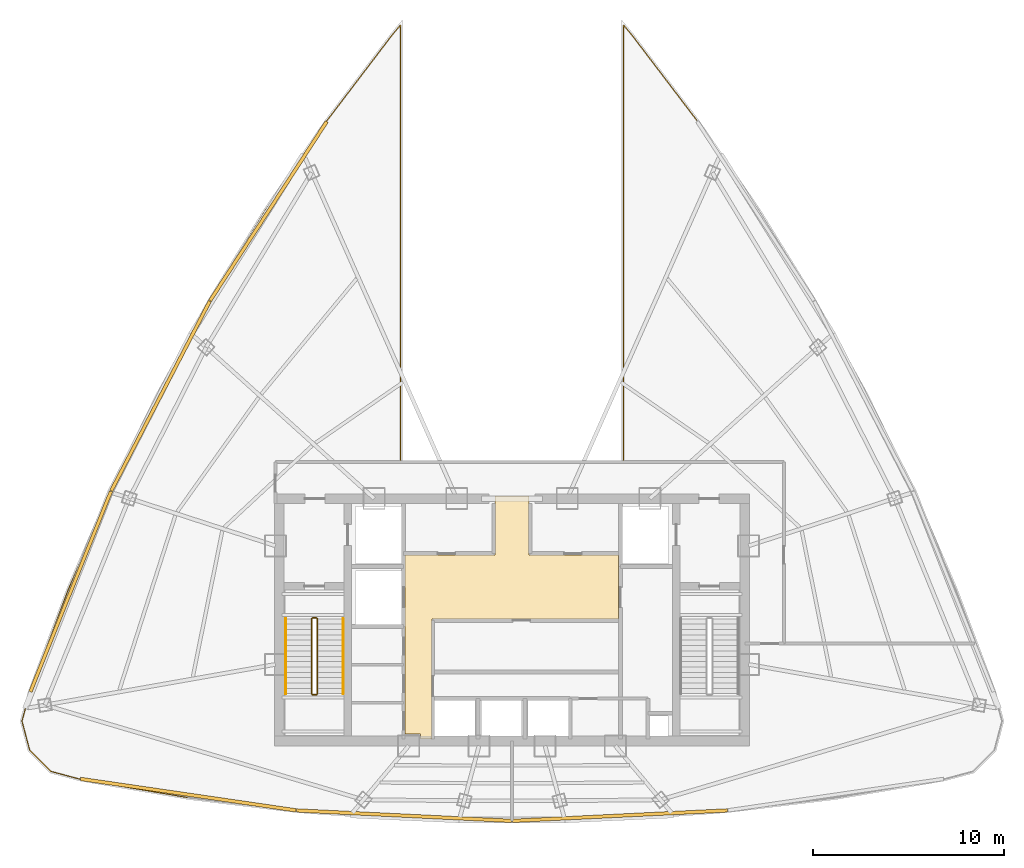
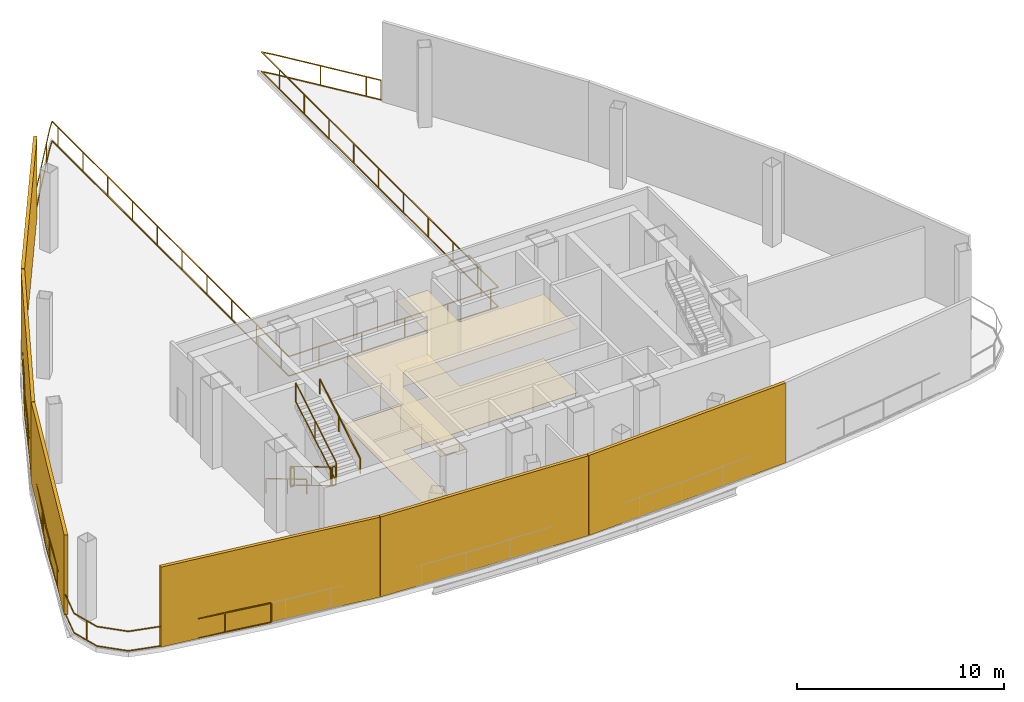
# One storey, part 4 of 6: 7 railings, 6 shading devices, 2 coverings.
"""IFC4 building model written with IfcOpenShell, lengths in metres."""

from ifc_helpers import new_model, si_unit, direction, frame, origin, origin_2d, place, context, subcontext, project, spatial, polyline, rectangle, outline, extrude, source, transform, mapped, material, layer, layer_set, type_object, element, save


model = new_model("IFC4")

# Units and contexts
model_context = context("Model", 3, precision=1e-05, world=origin(), true_north=direction((0.0, 1.0)))
body_context = subcontext(model_context, "Body", "Model", "MODEL_VIEW")
ifc_project = project(units=[si_unit("LENGTHUNIT", "METRE"), si_unit("AREAUNIT", "SQUARE_METRE"), si_unit("VOLUMEUNIT", "CUBIC_METRE"), si_unit("PLANEANGLEUNIT", "RADIAN"), si_unit("MASSUNIT", "GRAM", prefix="KILO"), si_unit("THERMODYNAMICTEMPERATUREUNIT", "KELVIN"), si_unit("POWERUNIT", "WATT")], contexts=[model_context])

# Site, building, storey
site_placement = place(None, origin())
site = spatial("IfcSite", under=ifc_project, at=site_placement, CompositionType="ELEMENT")
building_placement = place(site_placement, origin())
building = spatial("IfcBuilding", under=site, at=building_placement, Name="Yunzhuo Pagoda Commons", CompositionType="ELEMENT")
storey_placement = place(building_placement, frame((0.0, 0.0, 371.760009765625)))
storey = spatial("IfcBuildingStorey", under=building, at=storey_placement, Name="L93", CompositionType="ELEMENT", Elevation=371.760009765625)

# Coverings
ifc_material_1 = material(Name="Micro-perforated metal baffle ceiling")
ifc_layer_1 = layer(ifc_material_1, 0.034912109375)
ifc_layer_set_1 = layer_set([ifc_layer_1], Name="Micro-perforated metal baffle ceiling")
covering_type_1 = type_object("IfcCoveringType", Name="COV-CL3 Ceiling 35", PredefinedType="CEILING", material=ifc_layer_set_1)
covering_1_placement = place(storey_placement, frame((0.0, 0.0, 3.77001953125)))
element("IfcCovering", 1, at=covering_1_placement, inside=storey, type_object=covering_type_1, Name="L93 lift lobby acoustic ceiling", PredefinedType="CEILING", context=body_context, shape_type="SweptSolid", body=[
    extrude(outline(polyline([(43.207763671875, 27.85009765625), (43.201904296875, 27.864013671875), (43.187744140625, 27.8701171875), (42.39990234375, 27.8701171875), (42.39990234375, 33.89990234375), (42.39990234375, 37.25), (47.10009765625, 37.25), (47.10009765625, 40.35009765625), (48.89990234375, 40.35009765625), (48.89990234375, 37.25), (53.580078125, 37.25), (53.580078125, 33.89990234375), (43.820068359375, 33.89990234375), (43.820068359375, 27.60009765625), (43.207763671875, 27.60009765625), (43.207763671875, 27.85009765625)])), origin(), (0.0, 0.0, 1.0), 0.034912109375),
])
ifc_material_2 = material(Name="Resilient acoustic studio flooring")
ifc_layer_2 = layer(ifc_material_2, 0.01806640625)
ifc_layer_set_2 = layer_set([ifc_layer_2], Name="Resilient acoustic studio flooring")
covering_type_2 = type_object("IfcCoveringType", Name="COV-FL3 Flooring 18", PredefinedType="FLOORING", material=ifc_layer_set_2)
covering_2_placement = place(storey_placement, origin())
element("IfcCovering", 2, at=covering_2_placement, inside=storey, type_object=covering_type_2, Name="L93 lift lobby flooring", PredefinedType="FLOORING", context=body_context, shape_type="SweptSolid", body=[
    extrude(outline(polyline([(43.207763671875, 27.85009765625), (43.201904296875, 27.864013671875), (43.187744140625, 27.8701171875), (42.39990234375, 27.8701171875), (42.39990234375, 33.89990234375), (42.39990234375, 37.25), (47.10009765625, 37.25), (47.10009765625, 40.35009765625), (48.89990234375, 40.35009765625), (48.89990234375, 37.25), (53.580078125, 37.25), (53.580078125, 33.89990234375), (43.820068359375, 33.89990234375), (43.820068359375, 27.60009765625), (43.207763671875, 27.60009765625), (43.207763671875, 27.85009765625)])), origin(), (0.0, 0.0, 1.0), 0.01806640625),
])

# Railings
ifc_material_3 = material(Name="Anodized aluminium 6063-T6", Category="aluminium")
railing_type_1 = type_object("IfcRailingType", Name="GR-ST1 Stair Well Guardrail 1150", PredefinedType="GUARDRAIL", material=ifc_material_3)
railing_1_placement = place(storey_placement, frame((37.5, 33.89990234375, 0.166748046875)))
element("IfcRailing", 3, at=railing_1_placement, inside=storey, type_object=railing_type_1, Name="L93 ST1 stair guard 1", PredefinedType="GUARDRAIL", context=body_context, shape_type="SweptSolid", body=[
    extrude(rectangle(XDim=0.048095703125, YDim=0.048095703125, at=origin_2d()), frame((0.0, 0.0, 1.1259765625), z_axis=(0.0, -0.859296244711, 0.511478214419), x_axis=(1.0, 0.0, 0.0)), (0.0, 0.0, 1.0), 4.561767578125),
    extrude(rectangle(XDim=0.048095703125, YDim=0.048095703125, at=origin_2d()), frame((0.0, 0.0, 0.02392578125), z_axis=(0.0, -0.859296244711, 0.511478214419), x_axis=(1.0, 0.0, 0.0)), (0.0, 0.0, 1.0), 4.561767578125),
    extrude(rectangle(XDim=0.0419921875, YDim=0.0419921875, at=origin_2d()), origin(), (0.0, 0.0, 1.0), 1.101806640625),
    extrude(rectangle(XDim=0.0419921875, YDim=0.0419921875, at=origin_2d()), frame((0.0, -2.062255859375, 1.2275390625)), (0.0, 0.0, 1.0), 1.101806640625),
    extrude(rectangle(XDim=0.0419921875, YDim=0.0419921875, at=origin_2d()), frame((0.0, -3.919921875, 2.333251953125)), (0.0, 0.0, 1.0), 1.101806640625),
])
railing_2_placement = place(storey_placement, frame((37.550048828125, 29.929931640625, 2.5)))
element("IfcRailing", 4, at=railing_2_placement, inside=storey, type_object=railing_type_1, Name="L93 ST1 stair guard 2", PredefinedType="GUARDRAIL", context=body_context, shape_type="SweptSolid", body=[
    extrude(rectangle(XDim=0.048095703125, YDim=0.048095703125, at=origin_2d()), frame((0.0, 0.0, 1.1259765625), z_axis=(1.0, 0.0, 0.0), x_axis=(0.0, 1.0, 0.0)), (0.0, 0.0, 1.0), 0.199951171875),
    extrude(rectangle(XDim=0.048095703125, YDim=0.048095703125, at=origin_2d()), frame((0.0, 0.0, 0.02392578125), z_axis=(1.0, 0.0, 0.0), x_axis=(0.0, 1.0, 0.0)), (0.0, 0.0, 1.0), 0.199951171875),
    extrude(rectangle(XDim=0.0419921875, YDim=0.0419921875, at=origin_2d()), origin(), (0.0, 0.0, 1.0), 1.101806640625),
    extrude(rectangle(XDim=0.0419921875, YDim=0.0419921875, at=origin_2d()), frame((0.199951171875, 0.0, 0.0)), (0.0, 0.0, 1.0), 1.101806640625),
])
railing_3_placement = place(storey_placement, frame((37.800048828125, 29.97998046875, 2.666748046875)))
element("IfcRailing", 5, at=railing_3_placement, inside=storey, type_object=railing_type_1, Name="L93 ST1 stair guard 3", PredefinedType="GUARDRAIL", context=body_context, shape_type="SweptSolid", body=[
    extrude(rectangle(XDim=0.048095703125, YDim=0.048095703125, at=origin_2d()), frame((0.0, 0.0, 1.1259765625), z_axis=(0.0, 0.859296244711, 0.511478214419), x_axis=(-1.0, 0.0, 0.0)), (0.0, 0.0, 1.0), 4.561767578125),
    extrude(rectangle(XDim=0.048095703125, YDim=0.048095703125, at=origin_2d()), frame((0.0, 0.0, 0.02392578125), z_axis=(0.0, 0.859296244711, 0.511478214419), x_axis=(-1.0, 0.0, 0.0)), (0.0, 0.0, 1.0), 4.561767578125),
    extrude(rectangle(XDim=0.0419921875, YDim=0.0419921875, at=origin_2d()), origin(), (0.0, 0.0, 1.0), 1.101806640625),
    extrude(rectangle(XDim=0.0419921875, YDim=0.0419921875, at=origin_2d()), frame((0.0, 2.062255859375, 1.2275390625)), (0.0, 0.0, 1.0), 1.101806640625),
    extrude(rectangle(XDim=0.0419921875, YDim=0.0419921875, at=origin_2d()), frame((0.0, 3.919921875, 2.333251953125)), (0.0, 0.0, 1.0), 1.101806640625),
])
railing_4_placement = place(storey_placement, frame((37.550048828125, 33.949951171875, 0.0)))
element("IfcRailing", 6, at=railing_4_placement, inside=storey, type_object=railing_type_1, Name="L93 ST1 stair guard 4", PredefinedType="GUARDRAIL", context=body_context, shape_type="SweptSolid", body=[
    extrude(rectangle(XDim=0.048095703125, YDim=0.048095703125, at=origin_2d()), frame((0.0, 0.0, 1.1259765625), z_axis=(1.0, 0.0, 0.0), x_axis=(0.0, 1.0, 0.0)), (0.0, 0.0, 1.0), 0.199951171875),
    extrude(rectangle(XDim=0.048095703125, YDim=0.048095703125, at=origin_2d()), frame((0.0, 0.0, 0.02392578125), z_axis=(1.0, 0.0, 0.0), x_axis=(0.0, 1.0, 0.0)), (0.0, 0.0, 1.0), 0.199951171875),
    extrude(rectangle(XDim=0.0419921875, YDim=0.0419921875, at=origin_2d()), origin(), (0.0, 0.0, 1.0), 1.101806640625),
    extrude(rectangle(XDim=0.0419921875, YDim=0.0419921875, at=origin_2d()), frame((0.199951171875, 0.0, 0.0)), (0.0, 0.0, 1.0), 1.101806640625),
])
railing_type_2 = type_object("IfcRailingType", Name="HR-ST1 Stair Handrail 900", PredefinedType="HANDRAIL", material=ifc_material_3)
railing_5_placement = place(storey_placement, frame((36.14990234375, 33.89990234375, 0.166748046875)))
element("IfcRailing", 7, at=railing_5_placement, inside=storey, type_object=railing_type_2, Name="L93 ST1 stair handrail 1", PredefinedType="HANDRAIL", context=body_context, shape_type="SweptSolid", body=[
    extrude(rectangle(XDim=0.048095703125, YDim=0.048095703125, at=origin_2d()), frame((0.0, 0.0, 0.8759765625), z_axis=(0.0, -0.859296244711, 0.511478214419), x_axis=(1.0, 0.0, 0.0)), (0.0, 0.0, 1.0), 4.561767578125),
    extrude(rectangle(XDim=0.0419921875, YDim=0.0419921875, at=origin_2d()), origin(), (0.0, 0.0, 1.0), 0.851806640625),
    extrude(rectangle(XDim=0.0419921875, YDim=0.0419921875, at=origin_2d()), frame((0.0, -2.062255859375, 1.2275390625)), (0.0, 0.0, 1.0), 0.851806640625),
    extrude(rectangle(XDim=0.0419921875, YDim=0.0419921875, at=origin_2d()), frame((0.0, -3.919921875, 2.333251953125)), (0.0, 0.0, 1.0), 0.851806640625),
])
railing_6_placement = place(storey_placement, frame((39.14990234375, 29.97998046875, 2.666748046875)))
element("IfcRailing", 8, at=railing_6_placement, inside=storey, type_object=railing_type_2, Name="L93 ST1 stair handrail 2", PredefinedType="HANDRAIL", context=body_context, shape_type="SweptSolid", body=[
    extrude(rectangle(XDim=0.048095703125, YDim=0.048095703125, at=origin_2d()), frame((0.0, 0.0, 0.8759765625), z_axis=(0.0, 0.859296244711, 0.511478214419), x_axis=(-1.0, 0.0, 0.0)), (0.0, 0.0, 1.0), 4.561767578125),
    extrude(rectangle(XDim=0.0419921875, YDim=0.0419921875, at=origin_2d()), origin(), (0.0, 0.0, 1.0), 0.851806640625),
    extrude(rectangle(XDim=0.0419921875, YDim=0.0419921875, at=origin_2d()), frame((0.0, 2.062255859375, 1.2275390625)), (0.0, 0.0, 1.0), 0.851806640625),
    extrude(rectangle(XDim=0.0419921875, YDim=0.0419921875, at=origin_2d()), frame((0.0, 3.919921875, 2.333251953125)), (0.0, 0.0, 1.0), 0.851806640625),
])
railing_type_3 = type_object("IfcRailingType", Name="RL-PRT1 Wind Portal & Refuge Guardrail 1200", PredefinedType="GUARDRAIL", material=ifc_material_3)
railing_7_placement = place(storey_placement, frame((31.02978515625, 24.53271484375, 0.0)))
element("IfcRailing", 9, at=railing_7_placement, inside=storey, type_object=railing_type_3, Name="L93 wind portal wing 1 guardrail B", PredefinedType="GUARDRAIL", context=body_context, shape_type="SweptSolid", body=[
    extrude(rectangle(XDim=0.048095703125, YDim=0.048095703125, at=origin_2d()), frame((0.0, 0.0, 1.17578125), z_axis=(-0.985802138358, 0.167911119374, 0.0), x_axis=(-0.167911119374, -0.985802138358, 0.0)), (0.0, 0.0, 1.0), 5.736083984375),
    extrude(rectangle(XDim=0.048095703125, YDim=0.048095703125, at=origin_2d()), frame((0.0, 0.0, 0.02392578125), z_axis=(-0.985802138358, 0.167911119374, 0.0), x_axis=(-0.167911119374, -0.985802138358, 0.0)), (0.0, 0.0, 1.0), 5.736083984375),
    extrude(rectangle(XDim=0.048095703125, YDim=0.048095703125, at=origin_2d()), frame((-5.654541015625, 0.963134765625, 1.17578125), z_axis=(-0.965767970821, 0.259407452737, 0.0), x_axis=(-0.259407452737, -0.965767970821, 0.0)), (0.0, 0.0, 1.0), 1.59326171875),
    extrude(rectangle(XDim=0.048095703125, YDim=0.048095703125, at=origin_2d()), frame((-5.654541015625, 0.963134765625, 0.02392578125), z_axis=(-0.965767970821, 0.259407452737, 0.0), x_axis=(-0.259407452737, -0.965767970821, 0.0)), (0.0, 0.0, 1.0), 1.59326171875),
    extrude(rectangle(XDim=0.048095703125, YDim=0.048095703125, at=origin_2d()), frame((-7.193359375, 1.37646484375, 1.17578125), z_axis=(-0.705784726327, 0.708426368851, 0.0), x_axis=(-0.708426368851, -0.705784726327, 0.0)), (0.0, 0.0, 1.0), 1.571044921875),
    extrude(rectangle(XDim=0.048095703125, YDim=0.048095703125, at=origin_2d()), frame((-7.193359375, 1.37646484375, 0.02392578125), z_axis=(-0.705784726327, 0.708426368851, 0.0), x_axis=(-0.708426368851, -0.705784726327, 0.0)), (0.0, 0.0, 1.0), 1.571044921875),
    extrude(rectangle(XDim=0.048095703125, YDim=0.048095703125, at=origin_2d()), frame((-8.30224609375, 2.489501953125, 1.17578125), z_axis=(-0.256114674662, 0.966646405581, 0.0), x_axis=(-0.966646405581, -0.256114674662, 0.0)), (0.0, 0.0, 1.0), 1.571044921875),
    extrude(rectangle(XDim=0.048095703125, YDim=0.048095703125, at=origin_2d()), frame((-8.30224609375, 2.489501953125, 0.02392578125), z_axis=(-0.256114674662, 0.966646405581, 0.0), x_axis=(-0.966646405581, -0.256114674662, 0.0)), (0.0, 0.0, 1.0), 1.571044921875),
    extrude(rectangle(XDim=0.048095703125, YDim=0.048095703125, at=origin_2d()), frame((-8.70458984375, 4.008056640625, 1.17578125), z_axis=(0.262922930823, 0.964816838808, 0.0), x_axis=(-0.964816838808, 0.262922930823, 0.0)), (0.0, 0.0, 1.0), 1.593505859375),
    extrude(rectangle(XDim=0.048095703125, YDim=0.048095703125, at=origin_2d()), frame((-8.70458984375, 4.008056640625, 0.02392578125), z_axis=(0.262922930823, 0.964816838808, 0.0), x_axis=(-0.964816838808, 0.262922930823, 0.0)), (0.0, 0.0, 1.0), 1.593505859375),
    extrude(rectangle(XDim=0.048095703125, YDim=0.048095703125, at=origin_2d()), frame((-8.28564453125, 5.54541015625, 1.17578125), z_axis=(0.350704936473, 0.936486010325, 0.0), x_axis=(-0.936486010325, 0.350704936473, 0.0)), (0.0, 0.0, 1.0), 5.690185546875),
    extrude(rectangle(XDim=0.048095703125, YDim=0.048095703125, at=origin_2d()), frame((-8.28564453125, 5.54541015625, 0.02392578125), z_axis=(0.350704936473, 0.936486010325, 0.0), x_axis=(-0.936486010325, 0.350704936473, 0.0)), (0.0, 0.0, 1.0), 5.690185546875),
    extrude(rectangle(XDim=0.048095703125, YDim=0.048095703125, at=origin_2d()), frame((-6.2900390625, 10.874267578125, 1.17578125), z_axis=(0.395237697454, 0.91857888203, 0.0), x_axis=(-0.91857888203, 0.395237697454, 0.0)), (0.0, 0.0, 1.0), 5.652587890625),
    extrude(rectangle(XDim=0.048095703125, YDim=0.048095703125, at=origin_2d()), frame((-6.2900390625, 10.874267578125, 0.02392578125), z_axis=(0.395237697454, 0.91857888203, 0.0), x_axis=(-0.91857888203, 0.395237697454, 0.0)), (0.0, 0.0, 1.0), 5.652587890625),
    extrude(rectangle(XDim=0.048095703125, YDim=0.048095703125, at=origin_2d()), frame((-4.055908203125, 16.066650390625, 1.17578125), z_axis=(0.439384485978, 0.898299100234, 0.0), x_axis=(-0.898299100234, 0.439384485978, 0.0)), (0.0, 0.0, 1.0), 5.625244140625),
    extrude(rectangle(XDim=0.048095703125, YDim=0.048095703125, at=origin_2d()), frame((-4.055908203125, 16.066650390625, 0.02392578125), z_axis=(0.439384485978, 0.898299100234, 0.0), x_axis=(-0.898299100234, 0.439384485978, 0.0)), (0.0, 0.0, 1.0), 5.625244140625),
    extrude(rectangle(XDim=0.048095703125, YDim=0.048095703125, at=origin_2d()), frame((-1.584228515625, 21.119873046875, 1.17578125), z_axis=(0.482785214166, 0.875738794951, 0.0), x_axis=(-0.875738794951, 0.482785214166, 0.0)), (0.0, 0.0, 1.0), 5.612060546875),
    extrude(rectangle(XDim=0.048095703125, YDim=0.048095703125, at=origin_2d()), frame((-1.584228515625, 21.119873046875, 0.02392578125), z_axis=(0.482785214166, 0.875738794951, 0.0), x_axis=(-0.875738794951, 0.482785214166, 0.0)), (0.0, 0.0, 1.0), 5.612060546875),
    extrude(rectangle(XDim=0.048095703125, YDim=0.048095703125, at=origin_2d()), frame((1.125244140625, 26.03466796875, 1.17578125), z_axis=(0.52515291418, 0.851007882883, 0.0), x_axis=(-0.851007882883, 0.52515291418, 0.0)), (0.0, 0.0, 1.0), 5.61181640625),
    extrude(rectangle(XDim=0.048095703125, YDim=0.048095703125, at=origin_2d()), frame((1.125244140625, 26.03466796875, 0.02392578125), z_axis=(0.52515291418, 0.851007882883, 0.0), x_axis=(-0.851007882883, 0.52515291418, 0.0)), (0.0, 0.0, 1.0), 5.61181640625),
    extrude(rectangle(XDim=0.048095703125, YDim=0.048095703125, at=origin_2d()), frame((4.072265625, 30.810302734375, 1.17578125), z_axis=(0.566184343599, 0.824278647706, 0.0), x_axis=(-0.824278647706, 0.566184343599, 0.0)), (0.0, 0.0, 1.0), 5.62548828125),
    extrude(rectangle(XDim=0.048095703125, YDim=0.048095703125, at=origin_2d()), frame((4.072265625, 30.810302734375, 0.02392578125), z_axis=(0.566184343599, 0.824278647706, 0.0), x_axis=(-0.824278647706, 0.566184343599, 0.0)), (0.0, 0.0, 1.0), 5.62548828125),
    extrude(rectangle(XDim=0.048095703125, YDim=0.048095703125, at=origin_2d()), frame((7.25732421875, 35.447265625, 1.17578125), z_axis=(0.605500424009, 0.795844982723, 0.0), x_axis=(-0.795844982723, 0.605500424009, 0.0)), (0.0, 0.0, 1.0), 5.652587890625),
    extrude(rectangle(XDim=0.048095703125, YDim=0.048095703125, at=origin_2d()), frame((7.25732421875, 35.447265625, 0.02392578125), z_axis=(0.605500424009, 0.795844982723, 0.0), x_axis=(-0.795844982723, 0.605500424009, 0.0)), (0.0, 0.0, 1.0), 5.652587890625),
    extrude(rectangle(XDim=0.048095703125, YDim=0.048095703125, at=origin_2d()), frame((10.679931640625, 39.94580078125, 1.17578125), z_axis=(0.643091702275, 0.765789176253, 0.0), x_axis=(-0.765789176253, 0.643091702275, 0.0)), (0.0, 0.0, 1.0), 0.6845703125),
    extrude(rectangle(XDim=0.048095703125, YDim=0.048095703125, at=origin_2d()), frame((10.679931640625, 39.94580078125, 0.02392578125), z_axis=(0.643091702275, 0.765789176253, 0.0), x_axis=(-0.765789176253, 0.643091702275, 0.0)), (0.0, 0.0, 1.0), 0.6845703125),
    extrude(rectangle(XDim=0.048095703125, YDim=0.048095703125, at=origin_2d()), frame((11.1201171875, 40.469970703125, 1.17578125), z_axis=(0.0, -1.0, 0.0), x_axis=(1.0, 0.0, 0.0)), (0.0, 0.0, 1.0), 22.902587890625),
    extrude(rectangle(XDim=0.048095703125, YDim=0.048095703125, at=origin_2d()), frame((11.1201171875, 40.469970703125, 0.02392578125), z_axis=(0.0, -1.0, 0.0), x_axis=(1.0, 0.0, 0.0)), (0.0, 0.0, 1.0), 22.902587890625),
    extrude(rectangle(XDim=0.048095703125, YDim=0.048095703125, at=origin_2d()), frame((11.1201171875, 17.5673828125, 1.17578125), z_axis=(1.0, 0.0, 0.0), x_axis=(0.0, 1.0, 0.0)), (0.0, 0.0, 1.0), 11.7001953125),
    extrude(rectangle(XDim=0.048095703125, YDim=0.048095703125, at=origin_2d()), frame((11.1201171875, 17.5673828125, 0.02392578125), z_axis=(1.0, 0.0, 0.0), x_axis=(0.0, 1.0, 0.0)), (0.0, 0.0, 1.0), 11.7001953125),
    extrude(rectangle(XDim=0.048095703125, YDim=0.048095703125, at=origin_2d()), frame((22.8203125, 17.5673828125, 1.17578125), z_axis=(0.0, 1.0, 0.0), x_axis=(-1.0, 0.0, 0.0)), (0.0, 0.0, 1.0), 22.902587890625),
    extrude(rectangle(XDim=0.048095703125, YDim=0.048095703125, at=origin_2d()), frame((22.8203125, 17.5673828125, 0.02392578125), z_axis=(0.0, 1.0, 0.0), x_axis=(-1.0, 0.0, 0.0)), (0.0, 0.0, 1.0), 22.902587890625),
    extrude(rectangle(XDim=0.048095703125, YDim=0.048095703125, at=origin_2d()), frame((22.8203125, 40.469970703125, 1.17578125), z_axis=(0.643091702275, -0.765789176253, 0.0), x_axis=(0.765789176253, 0.643091702275, 0.0)), (0.0, 0.0, 1.0), 0.6845703125),
    extrude(rectangle(XDim=0.048095703125, YDim=0.048095703125, at=origin_2d()), frame((22.8203125, 40.469970703125, 0.02392578125), z_axis=(0.643091702275, -0.765789176253, 0.0), x_axis=(0.765789176253, 0.643091702275, 0.0)), (0.0, 0.0, 1.0), 0.6845703125),
    extrude(rectangle(XDim=0.048095703125, YDim=0.048095703125, at=origin_2d()), frame((23.260498046875, 39.94580078125, 1.17578125), z_axis=(0.605516403588, -0.795832824773, 0.0), x_axis=(0.795832824773, 0.605516403588, 0.0)), (0.0, 0.0, 1.0), 5.572509765625),
    extrude(rectangle(XDim=0.048095703125, YDim=0.048095703125, at=origin_2d()), frame((23.260498046875, 39.94580078125, 0.02392578125), z_axis=(0.605516403588, -0.795832824773, 0.0), x_axis=(0.795832824773, 0.605516403588, 0.0)), (0.0, 0.0, 1.0), 5.572509765625),
    extrude(rectangle(XDim=0.0419921875, YDim=0.0419921875, at=origin_2d()), origin(), (0.0, 0.0, 1.0), 1.15185546875),
    extrude(rectangle(XDim=0.0419921875, YDim=0.0419921875, at=origin_2d()), frame((-2.365966796875, 0.403076171875, 0.0)), (0.0, 0.0, 1.0), 1.15185546875),
    extrude(rectangle(XDim=0.0419921875, YDim=0.0419921875, at=origin_2d()), frame((-4.73193359375, 0.805908203125, 0.0)), (0.0, 0.0, 1.0), 1.15185546875),
    extrude(rectangle(XDim=0.0419921875, YDim=0.0419921875, at=origin_2d()), frame((-8.4814453125, 3.165771484375, 0.0)), (0.0, 0.0, 1.0), 1.15185546875),
    extrude(rectangle(XDim=0.0419921875, YDim=0.0419921875, at=origin_2d()), frame((-7.466796875, 7.732177734375, 0.0)), (0.0, 0.0, 1.0), 1.15185546875),
    extrude(rectangle(XDim=0.0419921875, YDim=0.0419921875, at=origin_2d()), frame((-6.625, 9.979736328125, 0.0)), (0.0, 0.0, 1.0), 1.15185546875),
    extrude(rectangle(XDim=0.0419921875, YDim=0.0419921875, at=origin_2d()), frame((-5.718994140625, 12.201416015625, 0.0)), (0.0, 0.0, 1.0), 1.15185546875),
    extrude(rectangle(XDim=0.0419921875, YDim=0.0419921875, at=origin_2d()), frame((-4.7705078125, 14.406005859375, 0.0)), (0.0, 0.0, 1.0), 1.15185546875),
    extrude(rectangle(XDim=0.0419921875, YDim=0.0419921875, at=origin_2d()), frame((-3.795654296875, 16.5986328125, 0.0)), (0.0, 0.0, 1.0), 1.15185546875),
    extrude(rectangle(XDim=0.0419921875, YDim=0.0419921875, at=origin_2d()), frame((-2.7412109375, 18.754638671875, 0.0)), (0.0, 0.0, 1.0), 1.15185546875),
    extrude(rectangle(XDim=0.0419921875, YDim=0.0419921875, at=origin_2d()), frame((-1.6865234375, 20.910400390625, 0.0)), (0.0, 0.0, 1.0), 1.15185546875),
    extrude(rectangle(XDim=0.0419921875, YDim=0.0419921875, at=origin_2d()), frame((-0.5380859375, 23.017578125, 0.0)), (0.0, 0.0, 1.0), 1.15185546875),
    extrude(rectangle(XDim=0.0419921875, YDim=0.0419921875, at=origin_2d()), frame((0.62060546875, 25.119384765625, 0.0)), (0.0, 0.0, 1.0), 1.15185546875),
    extrude(rectangle(XDim=0.0419921875, YDim=0.0419921875, at=origin_2d()), frame((1.836669921875, 27.1875, 0.0)), (0.0, 0.0, 1.0), 1.15185546875),
    extrude(rectangle(XDim=0.0419921875, YDim=0.0419921875, at=origin_2d()), frame((3.09716796875, 29.22998046875, 0.0)), (0.0, 0.0, 1.0), 1.15185546875),
    extrude(rectangle(XDim=0.0419921875, YDim=0.0419921875, at=origin_2d()), frame((4.379638671875, 31.2578125, 0.0)), (0.0, 0.0, 1.0), 1.15185546875),
    extrude(rectangle(XDim=0.0419921875, YDim=0.0419921875, at=origin_2d()), frame((5.738525390625, 33.236083984375, 0.0)), (0.0, 0.0, 1.0), 1.15185546875),
    extrude(rectangle(XDim=0.0419921875, YDim=0.0419921875, at=origin_2d()), frame((7.097412109375, 35.21435546875, 0.0)), (0.0, 0.0, 1.0), 1.15185546875),
    extrude(rectangle(XDim=0.0419921875, YDim=0.0419921875, at=origin_2d()), frame((8.53955078125, 37.132568359375, 0.0)), (0.0, 0.0, 1.0), 1.15185546875),
    extrude(rectangle(XDim=0.0419921875, YDim=0.0419921875, at=origin_2d()), frame((9.99267578125, 39.04248046875, 0.0)), (0.0, 0.0, 1.0), 1.15185546875),
    extrude(rectangle(XDim=0.0419921875, YDim=0.0419921875, at=origin_2d()), frame((11.1201171875, 39.889404296875, 0.0)), (0.0, 0.0, 1.0), 1.15185546875),
    extrude(rectangle(XDim=0.0419921875, YDim=0.0419921875, at=origin_2d()), frame((11.1201171875, 37.489501953125, 0.0)), (0.0, 0.0, 1.0), 1.15185546875),
    extrude(rectangle(XDim=0.0419921875, YDim=0.0419921875, at=origin_2d()), frame((11.1201171875, 35.08935546875, 0.0)), (0.0, 0.0, 1.0), 1.15185546875),
    extrude(rectangle(XDim=0.0419921875, YDim=0.0419921875, at=origin_2d()), frame((11.1201171875, 32.689453125, 0.0)), (0.0, 0.0, 1.0), 1.15185546875),
    extrude(rectangle(XDim=0.0419921875, YDim=0.0419921875, at=origin_2d()), frame((11.1201171875, 30.28955078125, 0.0)), (0.0, 0.0, 1.0), 1.15185546875),
    extrude(rectangle(XDim=0.0419921875, YDim=0.0419921875, at=origin_2d()), frame((11.1201171875, 27.889404296875, 0.0)), (0.0, 0.0, 1.0), 1.15185546875),
    extrude(rectangle(XDim=0.0419921875, YDim=0.0419921875, at=origin_2d()), frame((11.1201171875, 25.489501953125, 0.0)), (0.0, 0.0, 1.0), 1.15185546875),
    extrude(rectangle(XDim=0.0419921875, YDim=0.0419921875, at=origin_2d()), frame((11.1201171875, 23.08935546875, 0.0)), (0.0, 0.0, 1.0), 1.15185546875),
    extrude(rectangle(XDim=0.0419921875, YDim=0.0419921875, at=origin_2d()), frame((11.1201171875, 20.689453125, 0.0)), (0.0, 0.0, 1.0), 1.15185546875),
    extrude(rectangle(XDim=0.0419921875, YDim=0.0419921875, at=origin_2d()), frame((11.1201171875, 18.28955078125, 0.0)), (0.0, 0.0, 1.0), 1.15185546875),
    extrude(rectangle(XDim=0.0419921875, YDim=0.0419921875, at=origin_2d()), frame((12.798095703125, 17.5673828125, 0.0)), (0.0, 0.0, 1.0), 1.15185546875),
    extrude(rectangle(XDim=0.0419921875, YDim=0.0419921875, at=origin_2d()), frame((15.197998046875, 17.5673828125, 0.0)), (0.0, 0.0, 1.0), 1.15185546875),
    extrude(rectangle(XDim=0.0419921875, YDim=0.0419921875, at=origin_2d()), frame((17.59814453125, 17.5673828125, 0.0)), (0.0, 0.0, 1.0), 1.15185546875),
    extrude(rectangle(XDim=0.0419921875, YDim=0.0419921875, at=origin_2d()), frame((19.998046875, 17.5673828125, 0.0)), (0.0, 0.0, 1.0), 1.15185546875),
    extrude(rectangle(XDim=0.0419921875, YDim=0.0419921875, at=origin_2d()), frame((22.39794921875, 17.5673828125, 0.0)), (0.0, 0.0, 1.0), 1.15185546875),
    extrude(rectangle(XDim=0.0419921875, YDim=0.0419921875, at=origin_2d()), frame((22.8203125, 19.545166015625, 0.0)), (0.0, 0.0, 1.0), 1.15185546875),
    extrude(rectangle(XDim=0.0419921875, YDim=0.0419921875, at=origin_2d()), frame((22.8203125, 21.945068359375, 0.0)), (0.0, 0.0, 1.0), 1.15185546875),
    extrude(rectangle(XDim=0.0419921875, YDim=0.0419921875, at=origin_2d()), frame((22.8203125, 24.34521484375, 0.0)), (0.0, 0.0, 1.0), 1.15185546875),
    extrude(rectangle(XDim=0.0419921875, YDim=0.0419921875, at=origin_2d()), frame((22.8203125, 26.7451171875, 0.0)), (0.0, 0.0, 1.0), 1.15185546875),
    extrude(rectangle(XDim=0.0419921875, YDim=0.0419921875, at=origin_2d()), frame((22.8203125, 29.14501953125, 0.0)), (0.0, 0.0, 1.0), 1.15185546875),
    extrude(rectangle(XDim=0.0419921875, YDim=0.0419921875, at=origin_2d()), frame((22.8203125, 31.545166015625, 0.0)), (0.0, 0.0, 1.0), 1.15185546875),
    extrude(rectangle(XDim=0.0419921875, YDim=0.0419921875, at=origin_2d()), frame((22.8203125, 33.945068359375, 0.0)), (0.0, 0.0, 1.0), 1.15185546875),
    extrude(rectangle(XDim=0.0419921875, YDim=0.0419921875, at=origin_2d()), frame((22.8203125, 36.34521484375, 0.0)), (0.0, 0.0, 1.0), 1.15185546875),
    extrude(rectangle(XDim=0.0419921875, YDim=0.0419921875, at=origin_2d()), frame((22.8203125, 38.7451171875, 0.0)), (0.0, 0.0, 1.0), 1.15185546875),
    extrude(rectangle(XDim=0.0419921875, YDim=0.0419921875, at=origin_2d()), frame((24.7080078125, 38.043212890625, 0.0)), (0.0, 0.0, 1.0), 1.15185546875),
    extrude(rectangle(XDim=0.0419921875, YDim=0.0419921875, at=origin_2d()), frame((26.161376953125, 36.13330078125, 0.0)), (0.0, 0.0, 1.0), 1.15185546875),
    extrude(rectangle(XDim=0.0419921875, YDim=0.0419921875, at=origin_2d()), frame((26.634765625, 35.510986328125, 0.0)), (0.0, 0.0, 1.0), 1.15185546875),
])

# Shading devices
ifc_layer_3 = layer(ifc_material_3, 0.179931640625)
ifc_layer_set_3 = layer_set([ifc_layer_3], Name="Anodized aluminium 6063-T6")
shading_device_type = type_object("IfcShadingDeviceType", Name="SH-SCR2 Crown Drum Acoustic Louvre Screen", PredefinedType="JALOUSIE", material=ifc_layer_set_3)
shared_shape_1 = source(origin(), body_context, "Body", "SweptSolid", [
    extrude(rectangle(XDim=11.403076171875, YDim=0.179931640625, at=origin_2d()), origin(), (0.0, 0.0, 1.0), 4.719970703125),
])
shading_device_1_placement = place(storey_placement, frame((31.03271484375, 24.690185546875, 0.0), z_axis=(0.0, 0.0, 1.0), x_axis=(0.989510666697, -0.144459823108, 0.0)))
element("IfcShadingDevice", 10, at=shading_device_1_placement, inside=storey, type_object=shading_device_type, Name="L93 wind portal wing louvre screen F1.1", PredefinedType="JALOUSIE", context=body_context, shape_type="MappedRepresentation", body=[
    mapped(shared_shape_1, transform((0.0, 0.0, 0.0), scale=1.0)),
])
shared_shape_2 = source(origin(), body_context, "Body", "SweptSolid", [
    extrude(rectangle(XDim=11.29638671875, YDim=0.179931640625, at=origin_2d()), origin(), (0.0, 0.0, 1.0), 4.719970703125),
])
for number, where, z_axis, x_axis, name in (
    (11, (42.34423828125, 23.58935546875, 0.0), (0.0, 0.0, 1.0), (0.998818043775, -0.04860571396, 0.0), "L93 wind portal wing louvre screen F1.2"),
    (12, (53.65576171875, 23.58935546875, 0.0), (0.0, 0.0, 1.0), (0.998818043775, 0.04860571396, 0.0), "L93 wind portal wing louvre screen F1.3"),
):
    element("IfcShadingDevice", number, at=place(storey_placement, frame(where, z_axis=z_axis, x_axis=x_axis)), inside=storey, type_object=shading_device_type, Name=name, PredefinedType="JALOUSIE", context=body_context, shape_type="MappedRepresentation", body=[
        mapped(shared_shape_2, transform((0.0, 0.0, 0.0), scale=1.0)),
    ])
shared_shape_3 = source(origin(), body_context, "Body", "SweptSolid", [
    extrude(rectangle(XDim=11.311279296875, YDim=0.179931640625, at=origin_2d()), origin(), (0.0, 0.0, 1.0), 4.719970703125),
])
shading_device_2_placement = place(storey_placement, frame((24.877197265625, 35.330078125, 0.0), z_axis=(0.0, 0.0, 1.0), x_axis=(-0.372987782576, -0.927836253899, 0.0)))
element("IfcShadingDevice", 13, at=shading_device_2_placement, inside=storey, type_object=shading_device_type, Name="L93 wind portal wing louvre screen F3.4", PredefinedType="JALOUSIE", context=body_context, shape_type="MappedRepresentation", body=[
    mapped(shared_shape_3, transform((0.0, 0.0, 0.0), scale=1.0)),
])
shared_shape_4 = source(origin(), body_context, "Body", "SweptSolid", [
    extrude(rectangle(XDim=11.203857421875, YDim=0.179931640625, at=origin_2d()), origin(), (0.0, 0.0, 1.0), 4.719970703125),
])
for number, where, z_axis, x_axis, name in (
    (14, (35.23779296875, 55.2626953125, 0.0), (0.0, 0.0, 1.0), (-0.545853380833, -0.837880711458, 0.0), "L93 wind portal wing louvre screen F3.2"),
    (15, (29.582275390625, 45.57421875, 0.0), (0.0, 0.0, 1.0), (-0.461206683033, -0.88729273384, 0.0), "L93 wind portal wing louvre screen F3.3"),
):
    element("IfcShadingDevice", number, at=place(storey_placement, frame(where, z_axis=z_axis, x_axis=x_axis)), inside=storey, type_object=shading_device_type, Name=name, PredefinedType="JALOUSIE", context=body_context, shape_type="MappedRepresentation", body=[
        mapped(shared_shape_4, transform((0.0, 0.0, 0.0), scale=1.0)),
    ])

save(model, "model.ifc")
